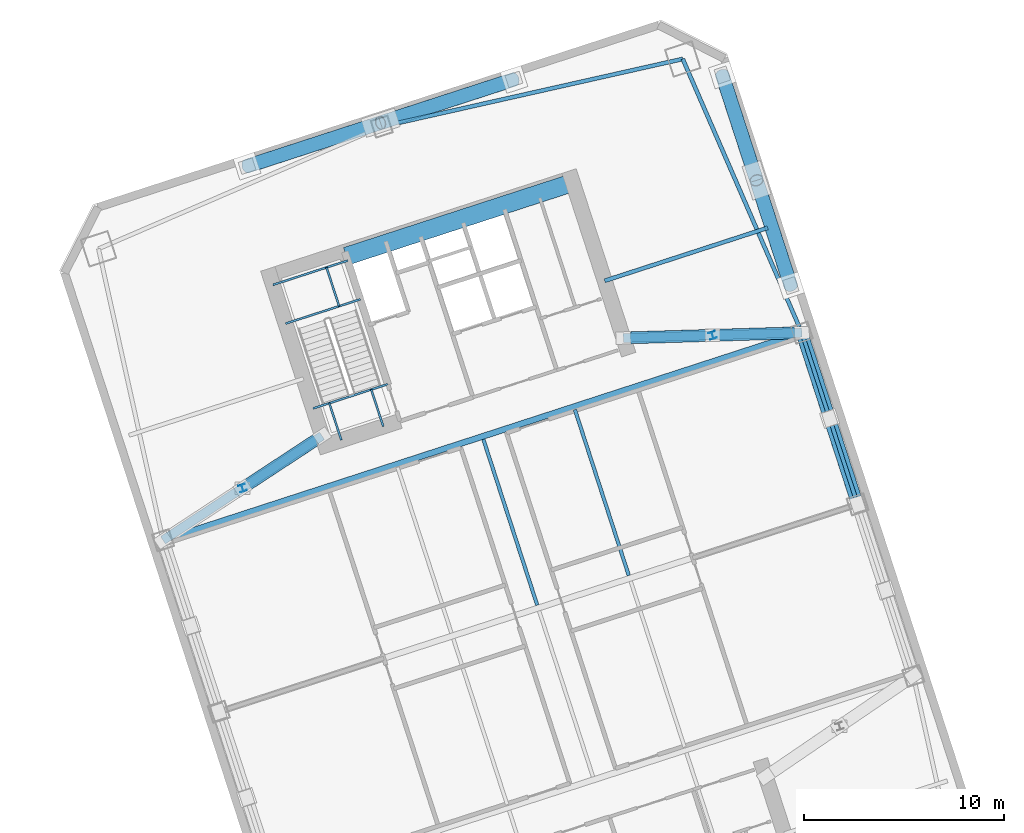
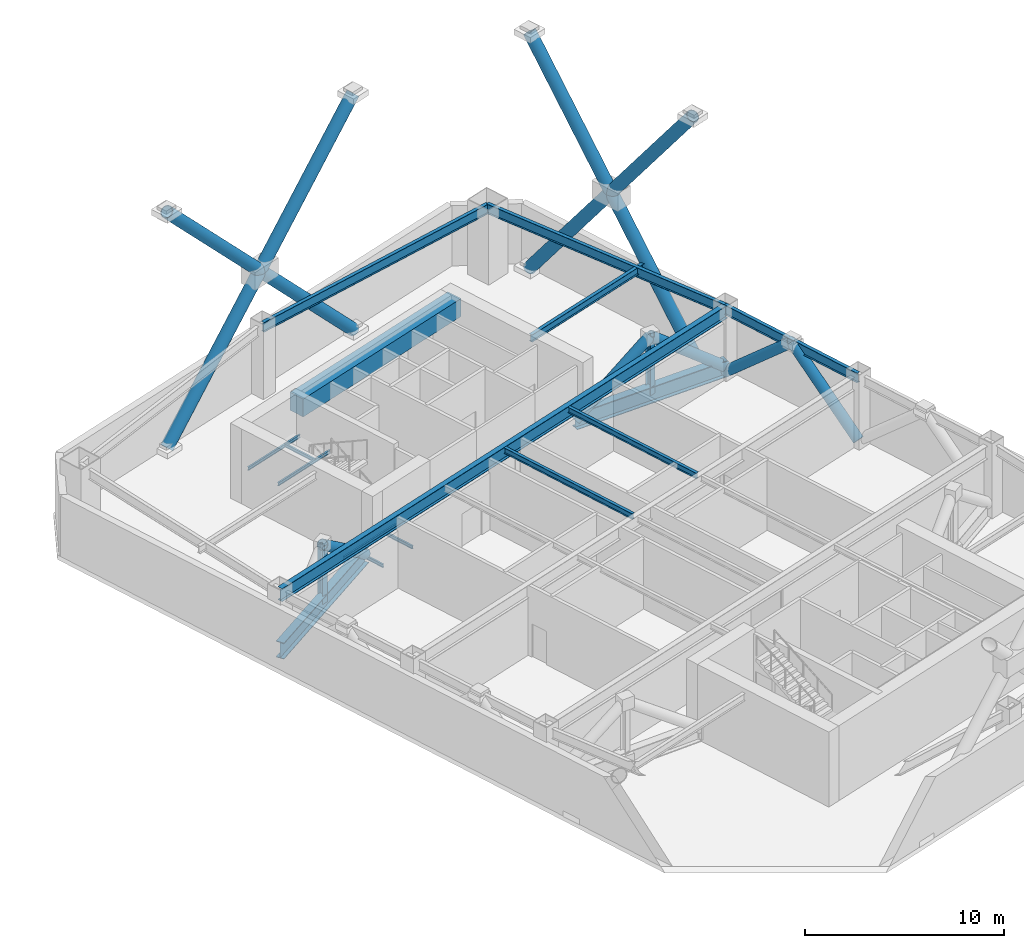
# One storey, part 9 of 19: 16 beams, 15 members.
"""IFC4 building model written with IfcOpenShell, lengths in metres."""

from ifc_helpers import new_model, si_unit, direction, frame, origin, origin_2d, place, context, subcontext, project, spatial, rectangle, hollow_circle, i_section, extrude, material, material_profile, profile_set, type_object, element, save


model = new_model("IFC4")

# Units and contexts
model_context = context("Model", 3, precision=1e-05, world=origin(), true_north=direction((0.0, 1.0)))
body_context = subcontext(model_context, "Body", "Model", "MODEL_VIEW")
ifc_project = project(units=[si_unit("LENGTHUNIT", "METRE"), si_unit("AREAUNIT", "SQUARE_METRE"), si_unit("VOLUMEUNIT", "CUBIC_METRE"), si_unit("PLANEANGLEUNIT", "RADIAN"), si_unit("MASSUNIT", "GRAM", prefix="KILO")], contexts=[model_context])

# Site, building, storey
site_placement = place(None, origin())
site = spatial("IfcSite", under=ifc_project, at=site_placement, CompositionType="ELEMENT")
building_placement = place(site_placement, origin())
building = spatial("IfcBuilding", under=site, at=building_placement, Name="Qiaolan Cultural Towers", CompositionType="ELEMENT")
storey_placement = place(building_placement, frame((0.0, 0.0, 92.0)))
storey = spatial("IfcBuildingStorey", under=building, at=storey_placement, Name="L23", CompositionType="ELEMENT", Elevation=92.0)

# Beams
ifc_material_1 = material(Name="Steel Q390GJB", Category="steel")
ifc_material_profile_1 = material_profile(ifc_material_1, i_section(OverallWidth=0.449951171875, OverallDepth=1.0, WebThickness=0.02392578125, FlangeThickness=0.0400390625, at=origin_2d()), Name="BH1000x450x24x40")
ifc_profile_set_1 = profile_set([ifc_material_profile_1], Name="Steel Q390GJB")
beam_type_1 = type_object("IfcBeamType", Name="BM-BH1000x450x24x40", PredefinedType="BEAM", material=ifc_profile_set_1)
beam_1_placement = place(storey_placement, frame((79.21826171875, 42.588623046875, 0.5), z_axis=(-0.835988874184, -0.548746391552, 0.0), x_axis=(0.548746391552, -0.835988874184, 0.0)))
element("IfcBeam", 1, at=beam_1_placement, inside=storey, type_object=beam_type_1, Name="L23 T2 Outrigger Bottom Chord Girder WN", PredefinedType="BEAM", context=body_context, shape_type="SweptSolid", body=[
    extrude(i_section(OverallWidth=0.449951171875, OverallDepth=1.0, WebThickness=0.02392578125, FlangeThickness=0.0400390625, at=origin_2d()), origin(), (0.0, 0.0, 1.0), 9.4853515625),
])
beam_2_placement = place(storey_placement, frame((94.244873046875, 47.47119140625, 0.5), z_axis=(0.999559400017, 0.029681742486, 0.0), x_axis=(-0.029681742486, 0.999559400017, 0.0)))
element("IfcBeam", 2, at=beam_2_placement, inside=storey, type_object=beam_type_1, Name="L23 T2 Outrigger Bottom Chord Girder EN", PredefinedType="BEAM", context=body_context, shape_type="SweptSolid", body=[
    extrude(i_section(OverallWidth=0.449951171875, OverallDepth=1.0, WebThickness=0.02392578125, FlangeThickness=0.0400390625, at=origin_2d()), origin(), (0.0, 0.0, 1.0), 8.907958984375),
])
ifc_material_2 = material(Name="Steel Q355B", Category="steel")
ifc_material_profile_2 = material_profile(ifc_material_2, i_section(OverallWidth=0.300048828125, OverallDepth=0.800048828125, WebThickness=0.013916015625, FlangeThickness=0.02587890625, at=origin_2d()), Name="HN800x300x14x26")
ifc_profile_set_2 = profile_set([ifc_material_profile_2], Name="Steel Q355B")
beam_type_2 = type_object("IfcBeamType", Name="BM-HN800x300x14x26", PredefinedType="BEAM", material=ifc_profile_set_2)
beam_3_placement = place(storey_placement, frame((71.28857421875, 37.383544921875, 3.93994140625), z_axis=(0.951056559899, 0.309016860175, 0.0), x_axis=(-0.309016860175, 0.951056559899, 0.0)))
element("IfcBeam", 3, at=beam_3_placement, inside=storey, type_object=beam_type_2, Name="L23 T2 Primary Transverse Girder V3", PredefinedType="BEAM", context=body_context, shape_type="SweptSolid", body=[
    extrude(i_section(OverallWidth=0.300048828125, OverallDepth=0.800048828125, WebThickness=0.013916015625, FlangeThickness=0.02587890625, at=origin_2d()), origin(), (0.0, 0.0, 1.0), 33.5),
])
ifc_material_3 = material(Name="Steel Q355B", Category="steel")
ifc_material_profile_3 = material_profile(ifc_material_3, i_section(OverallWidth=0.175048828125, OverallDepth=0.35009765625, WebThickness=0.007080078125, FlangeThickness=0.010986328125, at=origin_2d()), Name="HN350x175x7x11")
ifc_profile_set_3 = profile_set([ifc_material_profile_3], Name="Steel Q355B")
beam_type_3 = type_object("IfcBeamType", Name="BM-JST-HN350x175x7x11", PredefinedType="JOIST", material=ifc_profile_set_3)
for number, where, z_axis, x_axis, name in (
    (4, (89.95361328125, 34.142578125, 4.1650390625), (-0.309020714809, 0.951055307445, 0.0), (-0.951055307445, -0.309020714809, 0.0), "L23 T2 Secondary Floor Joist U2-3"),
    (5, (94.518798828125, 35.6259765625, 4.1650390625), (-0.309020714809, 0.951055307445, 0.0), (-0.951055307445, -0.309020714809, 0.0), "L23 T2 Secondary Floor Joist U3-3"),
):
    element("IfcBeam", number, at=place(storey_placement, frame(where, z_axis=z_axis, x_axis=x_axis)), inside=storey, type_object=beam_type_3, Name=name, PredefinedType="JOIST", context=body_context, shape_type="SweptSolid", body=[
        extrude(i_section(OverallWidth=0.175048828125, OverallDepth=0.35009765625, WebThickness=0.007080078125, FlangeThickness=0.010986328125, at=origin_2d()), origin(), (0.0, 0.0, 1.0), 8.699951171875),
    ])
ifc_material_4 = material(Name="Steel Q355B", Category="steel")
ifc_material_profile_4 = material_profile(ifc_material_4, i_section(OverallWidth=0.199951171875, OverallDepth=0.449951171875, WebThickness=0.009033203125, FlangeThickness=0.013916015625, at=origin_2d()), Name="HN450x200x9x14")
ifc_profile_set_4 = profile_set([ifc_material_profile_4], Name="Steel Q355B")
beam_type_4 = type_object("IfcBeamType", Name="BM-LNT-HN450x200x9x14", PredefinedType="LINTEL", material=ifc_profile_set_4)
beam_4_placement = place(storey_placement, frame((93.31787109375, 50.32421875, 4.114990234375), z_axis=(0.951057358187, 0.309014403287, 0.0), x_axis=(-0.309014403287, 0.951057358187, 0.0)))
element("IfcBeam", 6, at=beam_4_placement, inside=storey, type_object=beam_type_4, Name="L23 T2 Core Flank Tie Lintel EN", PredefinedType="LINTEL", context=body_context, shape_type="SweptSolid", body=[
    extrude(i_section(OverallWidth=0.199951171875, OverallDepth=0.449951171875, WebThickness=0.009033203125, FlangeThickness=0.013916015625, at=origin_2d()), origin(), (0.0, 0.0, 1.0), 8.550048828125),
])
ifc_material_5 = material(Name="Concrete C50", Category="concrete")
ifc_material_profile_5 = material_profile(ifc_material_5, rectangle(XDim=0.89990234375, YDim=1.10009765625, at=origin_2d()), Name="RC900x1100")
ifc_profile_set_5 = profile_set([ifc_material_profile_5], Name="Concrete C50")
beam_type_5 = type_object("IfcBeamType", Name="BM-RC900x1100", PredefinedType="BEAM", material=ifc_profile_set_5)
beam_5_placement = place(storey_placement, frame((80.427978515625, 51.551025390625, 3.7900390625), z_axis=(0.951056266386, 0.309017763514, 0.0), x_axis=(-0.309017763514, 0.951056266386, 0.0)))
element("IfcBeam", 7, at=beam_5_placement, inside=storey, type_object=beam_type_5, Name="L23 T2 Core Header Girder N", PredefinedType="BEAM", context=body_context, shape_type="SweptSolid", body=[
    extrude(rectangle(XDim=0.89990234375, YDim=1.10009765625, at=origin_2d()), origin(), (0.0, 0.0, 1.0), 11.880126953125),
])
ifc_material_6 = material(Name="Steel Q355B", Category="steel")
ifc_material_profile_6 = material_profile(ifc_material_6, i_section(OverallWidth=0.199951171875, OverallDepth=0.60009765625, WebThickness=0.010986328125, FlangeThickness=0.01708984375, at=origin_2d()), Name="HN600x200x11x17")
ifc_profile_set_6 = profile_set([ifc_material_profile_6], Name="Steel Q355B")
beam_type_6 = type_object("IfcBeamType", Name="BM-SPD-HN600x200x11x17", PredefinedType="SPANDREL", material=ifc_profile_set_6)
beam_6_placement = place(storey_placement, frame((105.93017578125, 39.176025390625, 4.0400390625), z_axis=(-0.309024734286, 0.951054001411, 0.0), x_axis=(-0.951054001411, -0.309024734286, 0.0)))
element("IfcBeam", 8, at=beam_6_placement, inside=storey, type_object=beam_type_6, Name="L23 T2 Perimeter Spandrel Beam 5", PredefinedType="SPANDREL", context=body_context, shape_type="SweptSolid", body=[
    extrude(i_section(OverallWidth=0.199951171875, OverallDepth=0.60009765625, WebThickness=0.010986328125, FlangeThickness=0.01708984375, at=origin_2d()), origin(), (0.0, 0.0, 1.0), 9.0),
])
beam_7_placement = place(storey_placement, frame((103.14892578125, 47.735595703125, 4.0400390625), z_axis=(-0.398920370799, 0.916985571185, 0.0), x_axis=(-0.916985571185, -0.398920370799, 0.0)))
element("IfcBeam", 9, at=beam_7_placement, inside=storey, type_object=beam_type_6, Name="L23 T2 Perimeter Spandrel Beam 6", PredefinedType="SPANDREL", context=body_context, shape_type="SweptSolid", body=[
    extrude(i_section(OverallWidth=0.199951171875, OverallDepth=0.60009765625, WebThickness=0.010986328125, FlangeThickness=0.01708984375, at=origin_2d()), origin(), (0.0, 0.0, 1.0), 14.888916015625),
])
beam_8_placement = place(storey_placement, frame((97.20947265625, 61.388427734375, 4.0400390625), z_axis=(-0.975658154374, -0.219296980836, 0.0), x_axis=(0.219296980836, -0.975658154374, 0.0)))
element("IfcBeam", 10, at=beam_8_placement, inside=storey, type_object=beam_type_6, Name="L23 T2 Perimeter Spandrel Beam 7", PredefinedType="SPANDREL", context=body_context, shape_type="SweptSolid", body=[
    extrude(i_section(OverallWidth=0.199951171875, OverallDepth=0.60009765625, WebThickness=0.010986328125, FlangeThickness=0.01708984375, at=origin_2d()), origin(), (0.0, 0.0, 1.0), 15.38671875),
])
ifc_material_7 = material(Name="Steel Q355B", Category="steel")
ifc_material_profile_7 = material_profile(ifc_material_7, i_section(OverallWidth=0.10009765625, OverallDepth=0.199951171875, WebThickness=0.005615234375, FlangeThickness=0.008056640625, at=origin_2d()), Name="HN200x100x5.5x8")
ifc_profile_set_7 = profile_set([ifc_material_profile_7], Name="Steel Q355B")
beam_type_7 = type_object("IfcBeamType", Name="BM-STTRIM-200", PredefinedType="BEAM", material=ifc_profile_set_7)
beam_9_placement = place(storey_placement, frame((78.773193359375, 43.958251953125, -0.4599609375), z_axis=(0.951072048947, 0.3089691857, 0.0), x_axis=(-0.3089691857, 0.951072048947, 0.0)))
element("IfcBeam", 11, at=beam_9_placement, inside=storey, type_object=beam_type_7, Name="L23 ST-E2 Floor Landing Header Beam", PredefinedType="BEAM", context=body_context, shape_type="SweptSolid", body=[
    extrude(i_section(OverallWidth=0.10009765625, OverallDepth=0.199951171875, WebThickness=0.005615234375, FlangeThickness=0.008056640625, at=origin_2d()), origin(), (0.0, 0.0, 1.0), 3.920166015625),
])
for number, where, z_axis, x_axis, name in (
    (12, (80.18115234375, 42.375732421875, -0.4599609375), (-0.308969394428, 0.951071981138, 0.0), (-0.951071981138, -0.308969394428, 0.0), "L23 ST-E2 Floor Landing Stringer 1"),
    (13, (82.2734375, 43.0556640625, -0.4599609375), (-0.308969394428, 0.951071981138, 0.0), (-0.951071981138, -0.308969394428, 0.0), "L23 ST-E2 Floor Landing Stringer 2"),
):
    element("IfcBeam", number, at=place(storey_placement, frame(where, z_axis=z_axis, x_axis=x_axis)), inside=storey, type_object=beam_type_7, Name=name, PredefinedType="BEAM", context=body_context, shape_type="SweptSolid", body=[
        extrude(i_section(OverallWidth=0.10009765625, OverallDepth=0.199951171875, WebThickness=0.005615234375, FlangeThickness=0.008056640625, at=origin_2d()), origin(), (0.0, 0.0, 1.0), 1.93994140625),
    ])
beam_10_placement = place(storey_placement, frame((77.398681640625, 48.189208984375, 2.0), z_axis=(0.951066103084, 0.308987487715, 0.0), x_axis=(-0.308987487715, 0.951066103084, 0.0)))
element("IfcBeam", 14, at=beam_10_placement, inside=storey, type_object=beam_type_7, Name="L23 ST-E2 Stair Landing Support Beam 1-1", PredefinedType="BEAM", context=body_context, shape_type="SweptSolid", body=[
    extrude(i_section(OverallWidth=0.10009765625, OverallDepth=0.199951171875, WebThickness=0.005615234375, FlangeThickness=0.008056640625, at=origin_2d()), origin(), (0.0, 0.0, 1.0), 3.919921875),
])
beam_11_placement = place(storey_placement, frame((76.770751953125, 50.12109375, 2.0), z_axis=(0.951072048947, 0.3089691857, 0.0), x_axis=(-0.3089691857, 0.951072048947, 0.0)))
element("IfcBeam", 15, at=beam_11_placement, inside=storey, type_object=beam_type_7, Name="L23 ST-E2 Stair Landing Support Beam 1-2", PredefinedType="BEAM", context=body_context, shape_type="SweptSolid", body=[
    extrude(i_section(OverallWidth=0.10009765625, OverallDepth=0.199951171875, WebThickness=0.005615234375, FlangeThickness=0.008056640625, at=origin_2d()), origin(), (0.0, 0.0, 1.0), 3.920166015625),
])
beam_12_placement = place(storey_placement, frame((80.071044921875, 49.057373046875, 2.0), z_axis=(-0.309007258476, 0.951059679626, 0.0), x_axis=(-0.951059679626, -0.309007258476, 0.0)))
element("IfcBeam", 16, at=beam_12_placement, inside=storey, type_object=beam_type_7, Name="L23 ST-E2 Stair Landing Trimmer 1", PredefinedType="BEAM", context=body_context, shape_type="SweptSolid", body=[
    extrude(i_section(OverallWidth=0.10009765625, OverallDepth=0.199951171875, WebThickness=0.005615234375, FlangeThickness=0.008056640625, at=origin_2d()), origin(), (0.0, 0.0, 1.0), 2.03125),
])

# Members
ifc_material_8 = material(Name="Steel Q355B", Category="steel")
ifc_material_profile_8 = material_profile(ifc_material_8, hollow_circle(Radius=0.300048828125, WallThickness=0.030029296875, at=origin_2d()), Name="CHS600x30")
ifc_profile_set_8 = profile_set([ifc_material_profile_8], Name="Steel Q355B")
member_type_1 = type_object("IfcMemberType", Name="MBR-BRC-CHS600x30", PredefinedType="BRACE", material=ifc_profile_set_8)
member_placement = place(storey_placement, frame((79.21826171875, 42.588623046875, 0.5), z_axis=(-0.671296835396, -0.440641888259, 0.595982621474), x_axis=(0.548746391552, -0.835988874184, 0.0)))
element("IfcMember", 17, at=member_placement, inside=storey, type_object=member_type_1, Name="L23 T2 Outrigger Truss Diagonal WN-1", PredefinedType="BRACE", context=body_context, shape_type="SweptSolid", body=[
    extrude(hollow_circle(Radius=0.300048828125, WallThickness=0.030029296875, at=origin_2d()), origin(), (0.0, 0.0, 1.0), 5.90625),
])
for number, where, z_axis, x_axis, name in (
    (18, (94.244873046875, 47.47119140625, 0.5), (0.78422759775, 0.023265361394, 0.62003693268), (-0.029653547277, 0.999560236871, 0.0), "L23 T2 Outrigger Truss Diagonal EN-1"),
    (19, (98.697021484375, 47.603271484375, 4.02001953125), (0.784210255398, 0.023309128513, -0.62005722305), (-0.029709939171, 0.999558562324, 0.0), "L23 T2 Outrigger Truss Diagonal EN-2"),
):
    element("IfcMember", number, at=place(storey_placement, frame(where, z_axis=z_axis, x_axis=x_axis)), inside=storey, type_object=member_type_1, Name=name, PredefinedType="BRACE", context=body_context, shape_type="SweptSolid", body=[
        extrude(hollow_circle(Radius=0.300048828125, WallThickness=0.030029296875, at=origin_2d()), origin(), (0.0, 0.0, 1.0), 5.677001953125),
    ])
for number, where, z_axis, x_axis, name in (
    (20, (105.93017578125, 39.176025390625, 0.199951171875), (-0.233010051245, 0.717111340999, 0.656854352676), (-0.951054001411, -0.309024734286, 0.0), "L23 T2 Perimeter Belt Truss E2-A"),
    (21, (104.53955078125, 43.455810546875, 4.1201171875), (-0.233010051245, 0.717111340999, -0.656854352676), (-0.951054001411, -0.309024734286, 0.0), "L23 T2 Perimeter Belt Truss E2-B"),
):
    element("IfcMember", number, at=place(storey_placement, frame(where, z_axis=z_axis, x_axis=x_axis)), inside=storey, type_object=member_type_1, Name=name, PredefinedType="BRACE", context=body_context, shape_type="SweptSolid", body=[
        extrude(hollow_circle(Radius=0.300048828125, WallThickness=0.030029296875, at=origin_2d()), origin(), (0.0, 0.0, 1.0), 5.968017578125),
    ])
ifc_material_9 = material(Name="Steel Q355B", Category="steel")
ifc_material_profile_9 = material_profile(ifc_material_9, hollow_circle(Radius=0.35009765625, WallThickness=0.034912109375, at=origin_2d()), Name="CHS700x35")
ifc_profile_set_9 = profile_set([ifc_material_profile_9], Name="Steel Q355B")
member_type_2 = type_object("IfcMemberType", Name="MBR-BRC-CHS700x35", PredefinedType="BRACE", material=ifc_profile_set_9)
for number, where, z_axis, x_axis, name in (
    (22, (102.59765625, 50.079833984375, 0.14990234375), (-0.187297972831, 0.576464216967, 0.795366881338), (-0.951059719012, -0.309007137251, 0.0), "T2 EAST Perimeter Frame Diagonal E-Z2-M2-D1A"),
    (23, (100.890380859375, 55.33447265625, 7.39990234375), (-0.18732381669, 0.576461324937, 0.795362891109), (-0.951046732174, -0.309047105182, 0.0), "T2 EAST Perimeter Frame Diagonal E-Z2-M2-D1B"),
    (24, (99.182861328125, 60.589111328125, 0.14990234375), (0.18732381669, -0.576461324937, 0.795362891109), (0.951046732174, 0.309047105182, 0.0), "T2 EAST Perimeter Frame Diagonal E-Z2-M2-D2A"),
    (25, (100.890380859375, 55.33447265625, 7.39990234375), (0.187297972831, -0.576464216967, 0.795366881338), (0.951059719012, 0.309007137251, 0.0), "T2 EAST Perimeter Frame Diagonal E-Z2-M2-D2B"),
):
    element("IfcMember", number, at=place(storey_placement, frame(where, z_axis=z_axis, x_axis=x_axis)), inside=storey, type_object=member_type_2, Name=name, PredefinedType="BRACE", context=body_context, shape_type="SweptSolid", body=[
        extrude(hollow_circle(Radius=0.35009765625, WallThickness=0.034912109375, at=origin_2d()), origin(), (0.0, 0.0, 1.0), 9.115234375),
    ])
for number, where, z_axis, x_axis, name in (
    (26, (75.47802734375, 56.041259765625, 0.14990234375), (0.660603302436, 0.214637326619, 0.719398425653), (-0.309009574742, 0.951058927048, 0.0), "T2 NORTH Perimeter Frame Diagonal E-Z2-M2-D1A"),
    (27, (82.135498046875, 58.204345703125, 7.39990234375), (0.660603302436, 0.214637326619, 0.719398425653), (-0.309009574742, 0.951058927048, 0.0), "T2 NORTH Perimeter Frame Diagonal E-Z2-M2-D1B"),
    (28, (88.79296875, 60.367431640625, 0.14990234375), (-0.660603302436, -0.214637326619, 0.719398425653), (0.309009574742, -0.951058927048, 0.0), "T2 NORTH Perimeter Frame Diagonal E-Z2-M2-D2A"),
    (29, (82.135498046875, 58.204345703125, 7.39990234375), (-0.660603302436, -0.214637326619, 0.719398425653), (0.309009574742, -0.951058927048, 0.0), "T2 NORTH Perimeter Frame Diagonal E-Z2-M2-D2B"),
):
    element("IfcMember", number, at=place(storey_placement, frame(where, z_axis=z_axis, x_axis=x_axis)), inside=storey, type_object=member_type_2, Name=name, PredefinedType="BRACE", context=body_context, shape_type="SweptSolid", body=[
        extrude(hollow_circle(Radius=0.35009765625, WallThickness=0.034912109375, at=origin_2d()), origin(), (0.0, 0.0, 1.0), 10.077880859375),
    ])
ifc_material_10 = material(Name="Steel Q355B", Category="steel")
ifc_material_profile_10 = material_profile(ifc_material_10, i_section(OverallWidth=0.35009765625, OverallDepth=0.35009765625, WebThickness=0.011962890625, FlangeThickness=0.01904296875, at=origin_2d()), Name="HW350x350x12x19")
ifc_profile_set_10 = profile_set([ifc_material_profile_10], Name="Steel Q355B")
member_type_3 = type_object("IfcMemberType", Name="MBR-POST-HW350x350x12x19", PredefinedType="STUD", material=ifc_profile_set_10)
for number, where, z_axis, x_axis, name in (
    (30, (75.25341796875, 39.986083984375, 0.5), (0.0, 0.0, 1.0), (0.951056516295, 0.309016994375, 0.0), "L23 T2 Outrigger King Web WN"),
    (31, (98.697021484375, 47.603271484375, 0.5), (0.0, 0.0, 1.0), (0.951056516295, 0.309016994375, 0.0), "L23 T2 Outrigger King Web EN"),
):
    element("IfcMember", number, at=place(storey_placement, frame(where, z_axis=z_axis, x_axis=x_axis)), inside=storey, type_object=member_type_3, Name=name, PredefinedType="STUD", context=body_context, shape_type="SweptSolid", body=[
        extrude(i_section(OverallWidth=0.35009765625, OverallDepth=0.35009765625, WebThickness=0.011962890625, FlangeThickness=0.01904296875, at=origin_2d()), origin(), (0.0, 0.0, 1.0), 3.52001953125),
    ])

save(model, "model.ifc")
